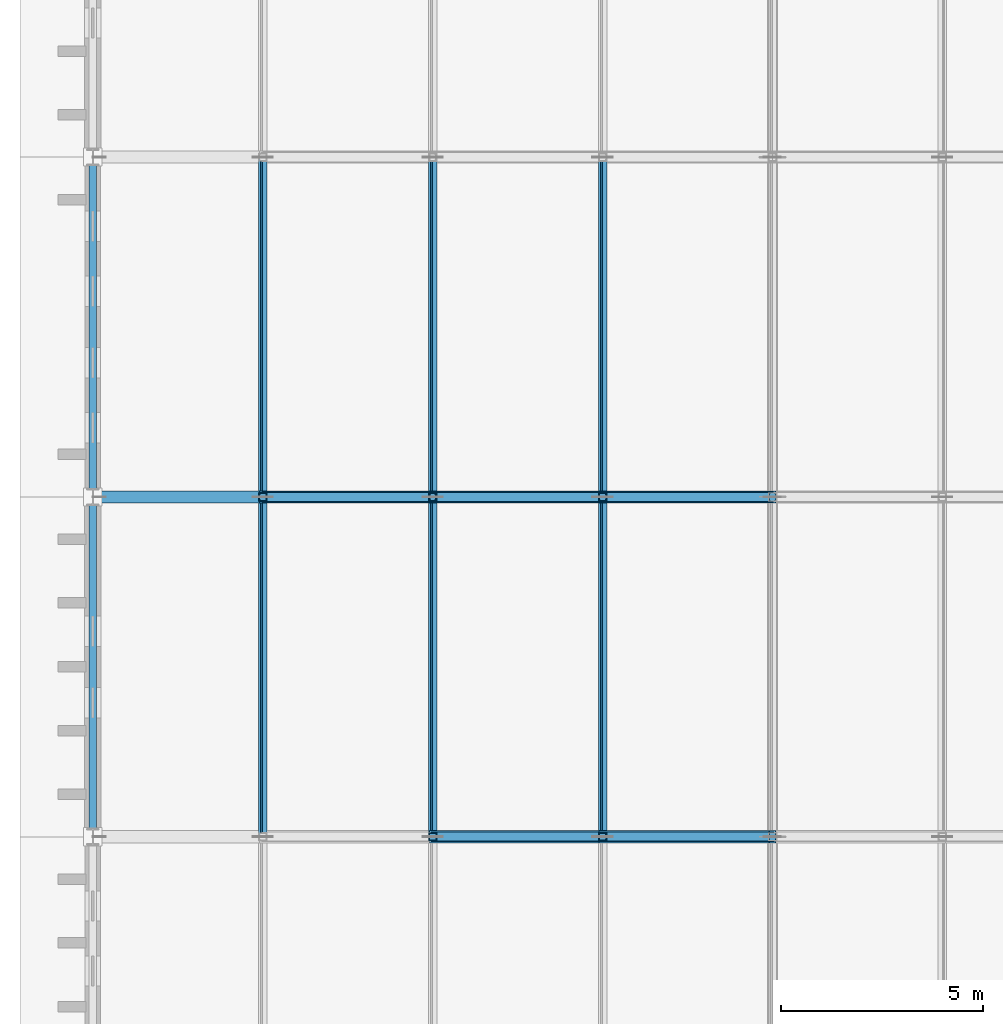
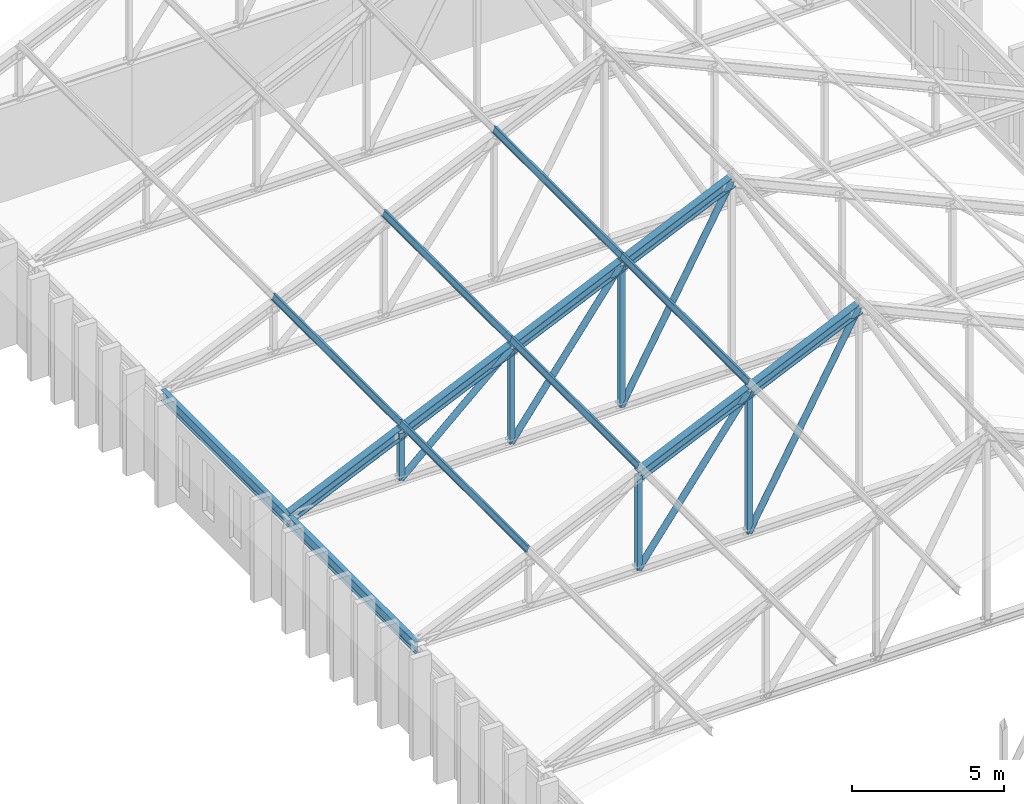
# One storey, part 10 of 110: 22 members, 2 beams.
"""IFC4 building model written with IfcOpenShell, lengths in metres."""

import ifcopenshell
import ifcopenshell.guid

model = None  # the IFC model being written
_history = None  # IfcOwnerHistory: only IFC2X3 demands one
_inside = {}  # id of a spatial element -> (the spatial element, [elements in it])
_under = {}  # id of a project, library or spatial element -> (it, [spatial elements below it])
_declared = {}  # id of a project -> (the project, [libraries it declares])
_typed = {}  # id of a type object -> (the type object, [elements of that type])
_made_of = {}  # id of a material, layer set ... -> (it, [elements and type objects made of it])


def new_model(schema):
    """Start an empty IFC model of exactly this schema.

    Asked for "IFC4X3", IfcOpenShell would pick the latest addendum, in which some entities
    have other attributes; the version numbers below select the first issue.
    IFC2X3 requires an IfcOwnerHistory on every rooted entity: one is made here for all.
    """
    global model, _history
    if schema == "IFC4X3":
        model = ifcopenshell.file(schema_version=(4, 3, 0, 0))
    else:
        model = ifcopenshell.file(schema=schema)
    _inside.clear()
    _under.clear()
    _declared.clear()
    _typed.clear()
    _made_of.clear()
    _history = None
    if model.schema == "IFC2X3":
        org = make("IfcOrganization", Name="unknown")
        user = make(
            "IfcPersonAndOrganization",
            ThePerson=make("IfcPerson", FamilyName="unknown"),
            TheOrganization=org,
        )
        app = make(
            "IfcApplication",
            ApplicationDeveloper=org,
            Version="unknown",
            ApplicationFullName="unknown",
            ApplicationIdentifier="unknown",
        )
        _history = make(
            "IfcOwnerHistory",
            OwningUser=user,
            OwningApplication=app,
            ChangeAction="ADDED",
            CreationDate=0,
        )
    return model


def make(cls, **values):
    """One entity of the class cls with the attributes given. An attribute that is None is left unset."""
    return model.create_entity(
        cls, **{name: value for name, value in values.items() if value is not None}
    )


def rooted(cls, **values):
    """An entity with a GlobalId (a new one), such as an element, a storey or a relation."""
    return make(cls, GlobalId=ifcopenshell.guid.new(), OwnerHistory=_history, **values)


def si_unit(unit_type, name, prefix=None):
    """IfcSIUnit, for example si_unit("LENGTHUNIT", "METRE", prefix="MILLI")."""
    return make("IfcSIUnit", UnitType=unit_type, Prefix=prefix, Name=name)


def assignment(units):
    """IfcUnitAssignment: the units of a project."""
    return None if units is None else make("IfcUnitAssignment", Units=units)


def point(xyz):
    """IfcCartesianPoint."""
    return None if xyz is None else make("IfcCartesianPoint", Coordinates=xyz)


def direction(xyz):
    """IfcDirection."""
    return None if xyz is None else make("IfcDirection", DirectionRatios=xyz)


def frame(location, z_axis=None, x_axis=None):
    """IfcAxis2Placement3D, a coordinate frame: its origin and axes. An axis left out is left unset."""
    return make(
        "IfcAxis2Placement3D",
        Location=point(location),
        Axis=direction(z_axis),
        RefDirection=direction(x_axis),
    )


def frame_2d(location, x_axis=None):
    """IfcAxis2Placement2D, a coordinate frame in the plane: its origin and x axis."""
    return make(
        "IfcAxis2Placement2D", Location=point(location), RefDirection=direction(x_axis)
    )


def origin():
    """The frame at (0, 0, 0) with its axes left unset."""
    return frame((0.0, 0.0, 0.0))


def origin_2d():
    """The frame at (0, 0) in the plane with its x axis left unset."""
    return frame_2d((0.0, 0.0))


def place(relative_to, where):
    """IfcLocalPlacement: puts the frame where relative to a parent placement (None: the world)."""
    return make(
        "IfcLocalPlacement", PlacementRelTo=relative_to, RelativePlacement=where
    )


def context(
    kind, dimensions, precision=None, world=None, true_north=None, identifier=None
):
    """IfcGeometricRepresentationContext, for example the 3D "Model" context."""
    return make(
        "IfcGeometricRepresentationContext",
        ContextIdentifier=identifier,
        ContextType=kind,
        CoordinateSpaceDimension=dimensions,
        Precision=precision,
        WorldCoordinateSystem=world,
        TrueNorth=true_north,
    )


def subcontext(parent, identifier, kind, view, scale=None):
    """IfcGeometricRepresentationSubContext, for example "Body" below "Model"."""
    return make(
        "IfcGeometricRepresentationSubContext",
        ContextIdentifier=identifier,
        ContextType=kind,
        ParentContext=parent,
        TargetScale=scale,
        TargetView=view,
    )


def project(units=None, contexts=None):
    """IfcProject with its units and contexts."""
    return rooted(
        "IfcProject",
        Name="project",
        RepresentationContexts=contexts,
        UnitsInContext=assignment(units),
    )


def spatial(cls, under=None, at=None, **own):
    """A site, building, storey or space (cls), placed at a placement, below another one or the project."""
    s = rooted(cls, ObjectPlacement=at, **own)
    if under is not None:
        _under.setdefault(under.id(), (under, []))[1].append(s)
    return s


def profile(cls, at=None, kind="AREA", **sizes):
    """A parametric profile (cls). Its sizes go by their IFC names, for example OverallWidth=200.0."""
    return make(cls, ProfileType=kind, Position=at, **sizes)


def hollow_rectangle(**sizes):
    """IfcRectangleHollowProfileDef."""
    return profile("IfcRectangleHollowProfileDef", **sizes)


def hollow_circle(**sizes):
    """IfcCircleHollowProfileDef."""
    return profile("IfcCircleHollowProfileDef", **sizes)


def i_section(**sizes):
    """IfcIShapeProfileDef."""
    return profile("IfcIShapeProfileDef", **sizes)


def extrude(swept, where, along, depth):
    """IfcExtrudedAreaSolid: the profile swept, set in the frame where, extruded along a direction by depth."""
    return make(
        "IfcExtrudedAreaSolid",
        SweptArea=swept,
        Position=where,
        ExtrudedDirection=direction(along),
        Depth=depth,
    )


def shape(context_of_items, identifier, shape_type, items):
    """IfcShapeRepresentation: the items that make up one representation, for example the "Body"."""
    return make(
        "IfcShapeRepresentation",
        ContextOfItems=context_of_items,
        RepresentationIdentifier=identifier,
        RepresentationType=shape_type,
        Items=items,
    )


def material(Name=None, Category=None):
    """IfcMaterial."""
    return make("IfcMaterial", Name=Name, Category=Category)


def material_profile(
    of_material, cross_section, Name=None, Category=None, Priority=None
):
    """IfcMaterialProfile: a cross section and its material."""
    return make(
        "IfcMaterialProfile",
        Name=Name,
        Material=of_material,
        Profile=cross_section,
        Priority=Priority,
        Category=Category,
    )


def profile_set(profiles, Name=None, composite=None):
    """IfcMaterialProfileSet."""
    return make(
        "IfcMaterialProfileSet",
        Name=Name,
        MaterialProfiles=profiles,
        CompositeProfile=composite,
    )


def made_of(thing, what):
    """Note that an element or type object is made of a material, layer set ...; save() writes the relation."""
    if what is not None:
        _made_of.setdefault(what.id(), (what, []))[1].append(thing)
    return thing


def type_object(cls, material=None, **own):
    """A type object (cls), such as IfcWallType, which elements share."""
    return made_of(rooted(cls, **own), material)


def element(
    cls,
    number,
    at=None,
    inside=None,
    cuts=None,
    type_object=None,
    material=None,
    context=None,
    identifier="Body",
    shape_type=None,
    held_by="IfcProductDefinitionShape",
    body=None,
    shapes=None,
    **own,
):
    """One element of the class cls, such as IfcWall. Its Tag is "e" and its number.

    at: its placement. inside: the storey or other place that contains it. cuts: it is an
    opening in that element (IfcRelVoidsElement). A single representation is given by context,
    identifier, shape_type and body (its items); several are given by shapes. held_by: the class
    of the entity that holds the representations. save() writes the other relations.
    """
    e = rooted(cls, Tag="e%d" % number, ObjectPlacement=at, **own)
    if body is not None:
        shapes = [shape(context, identifier, shape_type, body)]
    if shapes is not None:
        e.Representation = make(held_by, Representations=shapes)
    if inside is not None:
        _inside.setdefault(inside.id(), (inside, []))[1].append(e)
    if cuts is not None:
        rooted(
            "IfcRelVoidsElement", RelatingBuildingElement=cuts, RelatedOpeningElement=e
        )
    if type_object is not None:
        _typed.setdefault(type_object.id(), (type_object, []))[1].append(e)
    return made_of(e, material)


def aggregate(whole, parts):
    """IfcRelAggregates: a whole, such as a stair, and the parts it consists of."""
    return rooted("IfcRelAggregates", RelatingObject=whole, RelatedObjects=parts)


def save(model, path):
    """Write the relations noted so far, then the file.

    IfcRelAggregates (storeys below a building ...), IfcRelContainedInSpatialStructure (elements
    in a storey), IfcRelDefinesByType, IfcRelAssociatesMaterial and IfcRelDeclares: one each for
    every whole, place, type object, material and project.
    """
    for whole, parts in _under.values():
        aggregate(whole, parts)
    for where, things in _inside.values():
        rooted(
            "IfcRelContainedInSpatialStructure",
            RelatedElements=things,
            RelatingStructure=where,
        )
    for kind, things in _typed.values():
        rooted("IfcRelDefinesByType", RelatedObjects=things, RelatingType=kind)
    for what, things in _made_of.values():
        rooted("IfcRelAssociatesMaterial", RelatedObjects=things, RelatingMaterial=what)
    for by, libraries in _declared.values():
        rooted("IfcRelDeclares", RelatingContext=by, RelatedDefinitions=libraries)
    model.write(path)


model = new_model("IFC4")

# Units and contexts
model_context = context("Model", 3, precision=1e-05, world=origin(), true_north=direction((0.0, 1.0)))
body_context = subcontext(model_context, "Body", "Model", "MODEL_VIEW")
ifc_project = project(units=[si_unit("LENGTHUNIT", "METRE"), si_unit("AREAUNIT", "SQUARE_METRE"), si_unit("VOLUMEUNIT", "CUBIC_METRE"), si_unit("PLANEANGLEUNIT", "RADIAN"), si_unit("MASSUNIT", "GRAM", prefix="KILO")], contexts=[model_context])

# Site, building, storey
site_placement = place(None, origin())
site = spatial("IfcSite", under=ifc_project, at=site_placement, CompositionType="ELEMENT")
building_placement = place(site_placement, origin())
building = spatial("IfcBuilding", under=site, at=building_placement, Name="Kveldsbrygga Polytechnic", CompositionType="ELEMENT")
storey_placement = place(building_placement, frame((0.0, 0.0, 9.860107421875)))
storey = spatial("IfcBuildingStorey", under=building, at=storey_placement, Name="L02", CompositionType="ELEMENT", Elevation=9.860107421875)

# Beams
ifc_material = material(Name="Steel S355", Category="steel")
ifc_material_profile_1 = material_profile(ifc_material, i_section(OverallWidth=0.18994140625, OverallDepth=0.449951171875, WebThickness=0.009521484375, FlangeThickness=0.0146484375, FilletRadius=0.02099609375, at=origin_2d()), Name="IPE 450")
ifc_profile_set_1 = profile_set([ifc_material_profile_1], Name="Steel S355")
beam_type = type_object("IfcBeamType", Name="BM-STL-IPE450", PredefinedType="BEAM", material=ifc_profile_set_1)
beam_1_placement = place(storey_placement, frame((0.0, 50.39990234375, 3.554931640625), z_axis=(0.0, 1.0, 0.0), x_axis=(-1.0, 0.0, 0.0)))
element("IfcBeam", 1, at=beam_1_placement, inside=storey, type_object=beam_type, Name="Workshop Eaves Beam BMY-V1EAV-W-06", PredefinedType="BEAM", context=body_context, shape_type="SweptSolid", body=[
    extrude(i_section(OverallWidth=0.18994140625, OverallDepth=0.449951171875, WebThickness=0.009521484375, FlangeThickness=0.0146484375, FilletRadius=0.02099609375, at=origin_2d()), origin(), (0.0, 0.0, 1.0), 8.400146484375),
])
beam_2_placement = place(storey_placement, frame((0.0, 58.800048828125, 3.554931640625), z_axis=(0.0, 1.0, 0.0), x_axis=(-1.0, 0.0, 0.0)))
element("IfcBeam", 2, at=beam_2_placement, inside=storey, type_object=beam_type, Name="Workshop Eaves Beam BMY-V1EAV-W-07", PredefinedType="BEAM", context=body_context, shape_type="SweptSolid", body=[
    extrude(i_section(OverallWidth=0.18994140625, OverallDepth=0.449951171875, WebThickness=0.009521484375, FlangeThickness=0.0146484375, FilletRadius=0.02099609375, at=origin_2d()), origin(), (0.0, 0.0, 1.0), 8.39990234375),
])

# Members
ifc_material_profile_2 = material_profile(ifc_material, i_section(OverallWidth=0.1201171875, OverallDepth=0.239990234375, WebThickness=0.006103515625, FlangeThickness=0.009765625, FilletRadius=0.014892578125, at=origin_2d()), Name="IPE 240")
ifc_profile_set_2 = profile_set([ifc_material_profile_2], Name="Steel S355")
member_type_1 = type_object("IfcMemberType", Name="PRL-IPE240", PredefinedType="PURLIN", material=ifc_profile_set_2)
for number, where, z_axis, x_axis, name in (
    (3, (4.199951171875, 50.39990234375, 6.031005859375), (0.0, 1.0, 0.0), (-0.911107850446, 0.0, 0.41216802988), "Roof Purlin V1W-PRL-4-1"),
    (4, (8.39990234375, 50.39990234375, 7.93115234375), (0.0, 1.0, 0.0), (-0.911107850446, 0.0, 0.41216802988), "Roof Purlin V1W-PRL-4-2"),
    (5, (12.60009765625, 50.39990234375, 9.8310546875), (0.0, 1.0, 0.0), (-0.911107850446, 0.0, 0.41216802988), "Roof Purlin V1W-PRL-4-3"),
):
    element("IfcMember", number, at=place(storey_placement, frame(where, z_axis=z_axis, x_axis=x_axis)), inside=storey, type_object=member_type_1, Name=name, PredefinedType="PURLIN", context=body_context, shape_type="SweptSolid", body=[
        extrude(i_section(OverallWidth=0.1201171875, OverallDepth=0.239990234375, WebThickness=0.006103515625, FlangeThickness=0.009765625, FilletRadius=0.014892578125, at=origin_2d()), origin(), (0.0, 0.0, 1.0), 8.400146484375),
    ])
for number, where, z_axis, x_axis, name in (
    (6, (4.199951171875, 58.800048828125, 6.031005859375), (0.0, 1.0, 0.0), (-0.911107850446, 0.0, 0.41216802988), "Roof Purlin V1W-PRL-5-1"),
    (7, (8.39990234375, 58.800048828125, 7.93115234375), (0.0, 1.0, 0.0), (-0.911107850446, 0.0, 0.41216802988), "Roof Purlin V1W-PRL-5-2"),
    (8, (12.60009765625, 58.800048828125, 9.8310546875), (0.0, 1.0, 0.0), (-0.911107850446, 0.0, 0.41216802988), "Roof Purlin V1W-PRL-5-3"),
):
    element("IfcMember", number, at=place(storey_placement, frame(where, z_axis=z_axis, x_axis=x_axis)), inside=storey, type_object=member_type_1, Name=name, PredefinedType="PURLIN", context=body_context, shape_type="SweptSolid", body=[
        extrude(i_section(OverallWidth=0.1201171875, OverallDepth=0.239990234375, WebThickness=0.006103515625, FlangeThickness=0.009765625, FilletRadius=0.014892578125, at=origin_2d()), origin(), (0.0, 0.0, 1.0), 8.39990234375),
    ])
ifc_material_profile_3 = material_profile(ifc_material, hollow_circle(Radius=0.122314453125, WallThickness=0.012451171875, at=origin_2d()), Name="CHS 244.5x12.5")
ifc_profile_set_3 = profile_set([ifc_material_profile_3], Name="Steel S355")
member_type_2 = type_object("IfcMemberType", Name="TR-DIAG-CHS245", PredefinedType="BRACE", material=ifc_profile_set_3)
member_1_placement = place(storey_placement, frame((8.39990234375, 50.39990234375, 3.77978515625), z_axis=(0.59320374275, 0.0, 0.805052370711), x_axis=(0.0, 1.0, 0.0)))
element("IfcMember", 9, at=member_1_placement, inside=storey, type_object=member_type_2, Name="Truss Diagonal V1W-T04-DG-3", PredefinedType="BRACE", context=body_context, shape_type="SweptSolid", body=[
    extrude(hollow_circle(Radius=0.122314453125, WallThickness=0.012451171875, at=origin_2d()), origin(), (0.0, 0.0, 1.0), 7.08056640625),
])
member_2_placement = place(storey_placement, frame((12.60009765625, 50.39990234375, 3.77978515625), z_axis=(0.483677042996, 0.0, 0.875246547025), x_axis=(0.0, 1.0, 0.0)))
element("IfcMember", 10, at=member_2_placement, inside=storey, type_object=member_type_2, Name="Truss Diagonal V1W-T04-DG-4", PredefinedType="BRACE", context=body_context, shape_type="SweptSolid", body=[
    extrude(hollow_circle(Radius=0.122314453125, WallThickness=0.012451171875, at=origin_2d()), origin(), (0.0, 0.0, 1.0), 8.683349609375),
])
member_3_placement = place(storey_placement, frame((4.199951171875, 58.800048828125, 3.77978515625), z_axis=(0.741527609628, 0.0, 0.670922353302), x_axis=(0.0, 1.0, 0.0)))
element("IfcMember", 11, at=member_3_placement, inside=storey, type_object=member_type_2, Name="Truss Diagonal V1W-T05-DG-2", PredefinedType="BRACE", context=body_context, shape_type="SweptSolid", body=[
    extrude(hollow_circle(Radius=0.122314453125, WallThickness=0.012451171875, at=origin_2d()), origin(), (0.0, 0.0, 1.0), 5.663818359375),
])
member_4_placement = place(storey_placement, frame((8.39990234375, 58.800048828125, 3.77978515625), z_axis=(0.59320374275, 0.0, 0.805052370711), x_axis=(0.0, 1.0, 0.0)))
element("IfcMember", 12, at=member_4_placement, inside=storey, type_object=member_type_2, Name="Truss Diagonal V1W-T05-DG-3", PredefinedType="BRACE", context=body_context, shape_type="SweptSolid", body=[
    extrude(hollow_circle(Radius=0.122314453125, WallThickness=0.012451171875, at=origin_2d()), origin(), (0.0, 0.0, 1.0), 7.08056640625),
])
member_5_placement = place(storey_placement, frame((12.60009765625, 58.800048828125, 3.77978515625), z_axis=(0.483677042996, 0.0, 0.875246547025), x_axis=(0.0, 1.0, 0.0)))
element("IfcMember", 13, at=member_5_placement, inside=storey, type_object=member_type_2, Name="Truss Diagonal V1W-T05-DG-4", PredefinedType="BRACE", context=body_context, shape_type="SweptSolid", body=[
    extrude(hollow_circle(Radius=0.122314453125, WallThickness=0.012451171875, at=origin_2d()), origin(), (0.0, 0.0, 1.0), 8.683349609375),
])
ifc_material_profile_4 = material_profile(ifc_material, hollow_rectangle(XDim=0.199951171875, YDim=0.199951171875, WallThickness=0.012451171875, at=origin_2d()), Name="SHS 200x200x12.5")
ifc_profile_set_4 = profile_set([ifc_material_profile_4], Name="Steel S355")
member_type_3 = type_object("IfcMemberType", Name="TR-POST-SHS200", PredefinedType="STRUT", material=ifc_profile_set_4)
member_6_placement = place(storey_placement, frame((8.39990234375, 50.39990234375, 3.77978515625), z_axis=(0.0, 0.0, 1.0), x_axis=(1.0, 0.0, 0.0)))
element("IfcMember", 14, at=member_6_placement, inside=storey, type_object=member_type_3, Name="Truss Vertical V1W-T04-VT-2", PredefinedType="STRUT", context=body_context, shape_type="SweptSolid", body=[
    extrude(hollow_rectangle(XDim=0.199951171875, YDim=0.199951171875, WallThickness=0.012451171875, at=origin_2d()), origin(), (0.0, 0.0, 1.0), 3.800048828125),
])
member_7_placement = place(storey_placement, frame((12.60009765625, 50.39990234375, 3.77978515625), z_axis=(0.0, 0.0, 1.0), x_axis=(1.0, 0.0, 0.0)))
element("IfcMember", 15, at=member_7_placement, inside=storey, type_object=member_type_3, Name="Truss Vertical V1W-T04-VT-3", PredefinedType="STRUT", context=body_context, shape_type="SweptSolid", body=[
    extrude(hollow_rectangle(XDim=0.199951171875, YDim=0.199951171875, WallThickness=0.012451171875, at=origin_2d()), origin(), (0.0, 0.0, 1.0), 5.7001953125),
])
member_8_placement = place(storey_placement, frame((4.199951171875, 58.800048828125, 3.77978515625), z_axis=(0.0, 0.0, 1.0), x_axis=(1.0, 0.0, 0.0)))
element("IfcMember", 16, at=member_8_placement, inside=storey, type_object=member_type_3, Name="Truss Vertical V1W-T05-VT-1", PredefinedType="STRUT", context=body_context, shape_type="SweptSolid", body=[
    extrude(hollow_rectangle(XDim=0.199951171875, YDim=0.199951171875, WallThickness=0.012451171875, at=origin_2d()), origin(), (0.0, 0.0, 1.0), 1.900146484375),
])
member_9_placement = place(storey_placement, frame((8.39990234375, 58.800048828125, 3.77978515625), z_axis=(0.0, 0.0, 1.0), x_axis=(1.0, 0.0, 0.0)))
element("IfcMember", 17, at=member_9_placement, inside=storey, type_object=member_type_3, Name="Truss Vertical V1W-T05-VT-2", PredefinedType="STRUT", context=body_context, shape_type="SweptSolid", body=[
    extrude(hollow_rectangle(XDim=0.199951171875, YDim=0.199951171875, WallThickness=0.012451171875, at=origin_2d()), origin(), (0.0, 0.0, 1.0), 3.800048828125),
])
member_10_placement = place(storey_placement, frame((12.60009765625, 58.800048828125, 3.77978515625), z_axis=(0.0, 0.0, 1.0), x_axis=(1.0, 0.0, 0.0)))
element("IfcMember", 18, at=member_10_placement, inside=storey, type_object=member_type_3, Name="Truss Vertical V1W-T05-VT-3", PredefinedType="STRUT", context=body_context, shape_type="SweptSolid", body=[
    extrude(hollow_rectangle(XDim=0.199951171875, YDim=0.199951171875, WallThickness=0.012451171875, at=origin_2d()), origin(), (0.0, 0.0, 1.0), 5.7001953125),
])
ifc_material_profile_5 = material_profile(ifc_material, i_section(OverallWidth=0.300048828125, OverallDepth=0.39990234375, WebThickness=0.013427734375, FlangeThickness=0.02392578125, FilletRadius=0.027099609375, at=origin_2d()), Name="HEB 400")
ifc_profile_set_5 = profile_set([ifc_material_profile_5], Name="Steel S355")
member_type_4 = type_object("IfcMemberType", Name="TR-TOP-HEB400", PredefinedType="CHORD", material=ifc_profile_set_5)
member_11_placement = place(storey_placement, frame((8.39990234375, 50.39990234375, 7.579833984375), z_axis=(0.911103187639, 0.0, 0.412178336979), x_axis=(0.0, 1.0, 0.0)))
element("IfcMember", 19, at=member_11_placement, inside=storey, type_object=member_type_4, Name="Truss Top Chord V1W-T04-TC-3", PredefinedType="CHORD", context=body_context, shape_type="SweptSolid", body=[
    extrude(i_section(OverallWidth=0.300048828125, OverallDepth=0.39990234375, WebThickness=0.013427734375, FlangeThickness=0.02392578125, FilletRadius=0.027099609375, at=origin_2d()), origin(), (0.0, 0.0, 1.0), 4.610107421875),
])
member_12_placement = place(storey_placement, frame((12.60009765625, 50.39990234375, 9.47998046875), z_axis=(0.91111407885, 0.0, 0.41215426156), x_axis=(0.0, 1.0, 0.0)))
element("IfcMember", 20, at=member_12_placement, inside=storey, type_object=member_type_4, Name="Truss Top Chord V1W-T04-TC-4", PredefinedType="CHORD", context=body_context, shape_type="SweptSolid", body=[
    extrude(i_section(OverallWidth=0.300048828125, OverallDepth=0.39990234375, WebThickness=0.013427734375, FlangeThickness=0.02392578125, FilletRadius=0.027099609375, at=origin_2d()), origin(), (0.0, 0.0, 1.0), 4.609619140625),
])
member_13_placement = place(storey_placement, frame((0.0, 58.800048828125, 3.77978515625), z_axis=(0.911094189765, 0.0, 0.412198225829), x_axis=(0.0, 1.0, 0.0)))
element("IfcMember", 21, at=member_13_placement, inside=storey, type_object=member_type_4, Name="Truss Top Chord V1W-T05-TC-1", PredefinedType="CHORD", context=body_context, shape_type="SweptSolid", body=[
    extrude(i_section(OverallWidth=0.300048828125, OverallDepth=0.39990234375, WebThickness=0.013427734375, FlangeThickness=0.02392578125, FilletRadius=0.027099609375, at=origin_2d()), origin(), (0.0, 0.0, 1.0), 4.60986328125),
])
member_14_placement = place(storey_placement, frame((4.199951171875, 58.800048828125, 5.679931640625), z_axis=(0.91111407885, 0.0, 0.41215426156), x_axis=(0.0, 1.0, 0.0)))
element("IfcMember", 22, at=member_14_placement, inside=storey, type_object=member_type_4, Name="Truss Top Chord V1W-T05-TC-2", PredefinedType="CHORD", context=body_context, shape_type="SweptSolid", body=[
    extrude(i_section(OverallWidth=0.300048828125, OverallDepth=0.39990234375, WebThickness=0.013427734375, FlangeThickness=0.02392578125, FilletRadius=0.027099609375, at=origin_2d()), origin(), (0.0, 0.0, 1.0), 4.609619140625),
])
member_15_placement = place(storey_placement, frame((8.39990234375, 58.800048828125, 7.579833984375), z_axis=(0.911103187639, 0.0, 0.412178336979), x_axis=(0.0, 1.0, 0.0)))
element("IfcMember", 23, at=member_15_placement, inside=storey, type_object=member_type_4, Name="Truss Top Chord V1W-T05-TC-3", PredefinedType="CHORD", context=body_context, shape_type="SweptSolid", body=[
    extrude(i_section(OverallWidth=0.300048828125, OverallDepth=0.39990234375, WebThickness=0.013427734375, FlangeThickness=0.02392578125, FilletRadius=0.027099609375, at=origin_2d()), origin(), (0.0, 0.0, 1.0), 4.610107421875),
])
member_16_placement = place(storey_placement, frame((12.60009765625, 58.800048828125, 9.47998046875), z_axis=(0.91111407885, 0.0, 0.41215426156), x_axis=(0.0, 1.0, 0.0)))
element("IfcMember", 24, at=member_16_placement, inside=storey, type_object=member_type_4, Name="Truss Top Chord V1W-T05-TC-4", PredefinedType="CHORD", context=body_context, shape_type="SweptSolid", body=[
    extrude(i_section(OverallWidth=0.300048828125, OverallDepth=0.39990234375, WebThickness=0.013427734375, FlangeThickness=0.02392578125, FilletRadius=0.027099609375, at=origin_2d()), origin(), (0.0, 0.0, 1.0), 4.609619140625),
])

save(model, "model.ifc")
